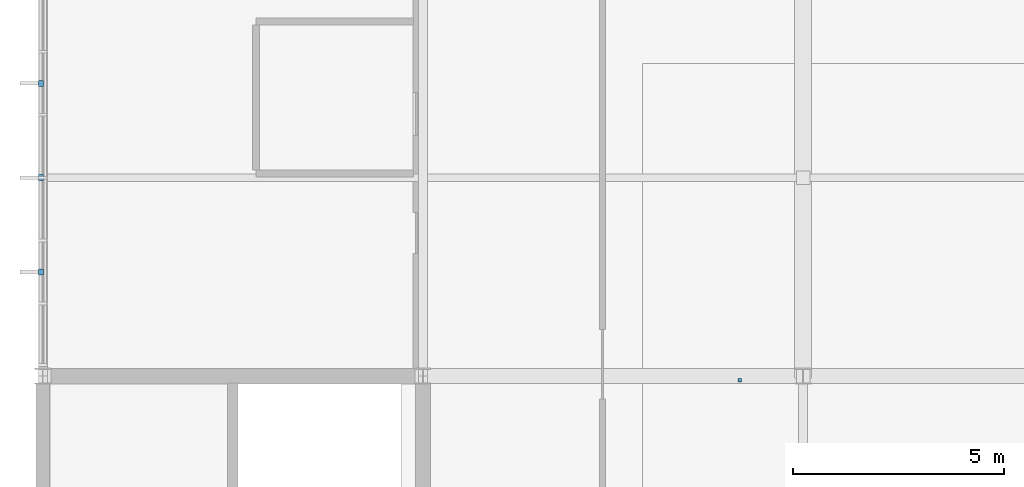
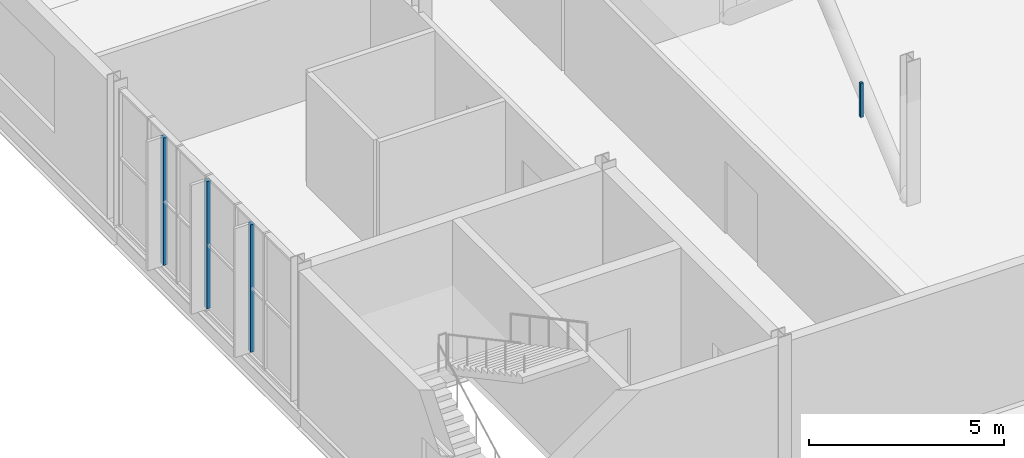
# One storey, part 89 of 103: 4 discrete accessories.
"""IFC4 building model written with IfcOpenShell, lengths in metres."""

from ifc_helpers import new_model, si_unit, direction, frame, origin, origin_2d, place, context, subcontext, project, spatial, rectangle, extrude, material, type_object, element, save


model = new_model("IFC4")

# Units and contexts
model_context = context("Model", 3, precision=1e-05, world=origin(), true_north=direction((0.0, 1.0)))
body_context = subcontext(model_context, "Body", "Model", "MODEL_VIEW")
ifc_project = project(units=[si_unit("LENGTHUNIT", "METRE"), si_unit("AREAUNIT", "SQUARE_METRE"), si_unit("VOLUMEUNIT", "CUBIC_METRE"), si_unit("PLANEANGLEUNIT", "RADIAN"), si_unit("MASSUNIT", "GRAM", prefix="KILO")], contexts=[model_context])

# Site, building, storey
site_placement = place(None, origin())
site = spatial("IfcSite", under=ifc_project, at=site_placement, CompositionType="ELEMENT")
building_placement = place(site_placement, origin())
building = spatial("IfcBuilding", under=site, at=building_placement, Name="Cazmaro Siding Exhibition Halls", CompositionType="ELEMENT")
storey_placement = place(building_placement, frame((0.0, 0.0, 16.5)))
storey = spatial("IfcBuildingStorey", under=building, at=storey_placement, Name="L03", CompositionType="ELEMENT", Elevation=16.5)

# Discrete accessories
ifc_material_1 = material(Name="Steel ASTM A572 Grade 50", Category="steel")
discrete_accessory_type_1 = type_object("IfcDiscreteAccessoryType", Name="SBK-01", PredefinedType="BRACKET", material=ifc_material_1)
for number, where, z_axis, x_axis, name in (
    (1, (-0.0400390625, 66.06689453125, 0.14990234375), (0.0, 0.0, 1.0), (1.0, 0.0, 0.0), "Solar Fin Steel Support Bracket SBK-01 037"),
    (2, (-0.0400390625, 68.300048828125, 0.14990234375), (0.0, 0.0, 1.0), (1.0, 0.0, 0.0), "Solar Fin Steel Support Bracket SBK-01 038"),
    (3, (-0.0400390625, 70.533935546875, 0.14990234375), (0.0, 0.0, 1.0), (1.0, 0.0, 0.0), "Solar Fin Steel Support Bracket SBK-01 039"),
):
    element("IfcDiscreteAccessory", number, at=place(storey_placement, frame(where, z_axis=z_axis, x_axis=x_axis)), inside=storey, type_object=discrete_accessory_type_1, Name=name, PredefinedType="BRACKET", context=body_context, shape_type="SweptSolid", body=[
        extrude(rectangle(XDim=0.1201171875, YDim=0.139892578125, at=origin_2d()), origin(), (0.0, 0.0, 1.0), 3.97998046875),
    ])
ifc_material_2 = material(Name="Steel ASTM A572 Grade 50", Category="steel")
discrete_accessory_type_2 = type_object("IfcDiscreteAccessoryType", Name="SBK-02", PredefinedType="BRACKET", material=ifc_material_2)
discrete_accessory_placement = place(storey_placement, frame((16.5, 63.5, 3.2197265625), z_axis=(0.0, 0.0, 1.0), x_axis=(1.0, 0.0, 0.0)))
element("IfcDiscreteAccessory", 4, at=discrete_accessory_placement, inside=storey, type_object=discrete_accessory_type_2, Name="Ceiling Cloud Hanger Bracket SBK-02 013", PredefinedType="BRACKET", context=body_context, shape_type="SweptSolid", body=[
    extrude(rectangle(XDim=0.080078125, YDim=0.080078125, at=origin_2d()), origin(), (0.0, 0.0, 1.0), 1.070068359375),
])

save(model, "model.ifc")
